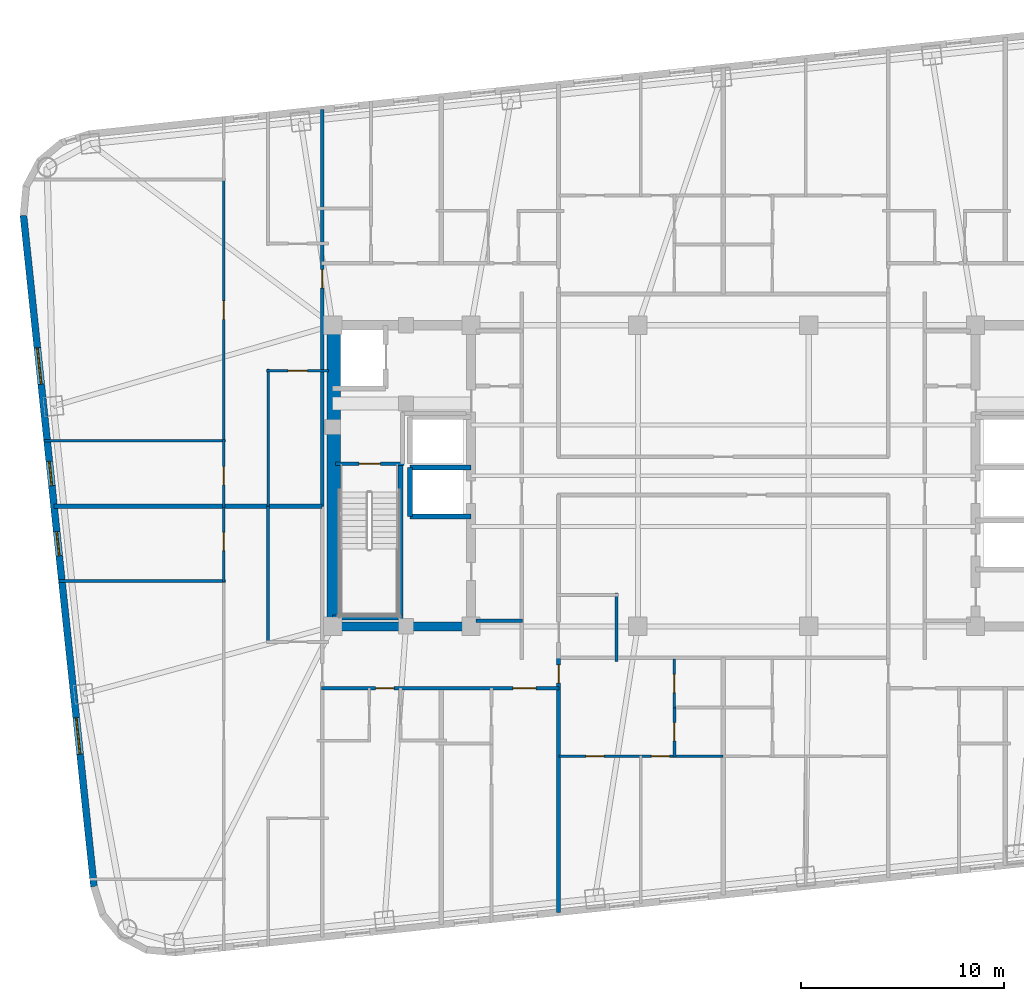
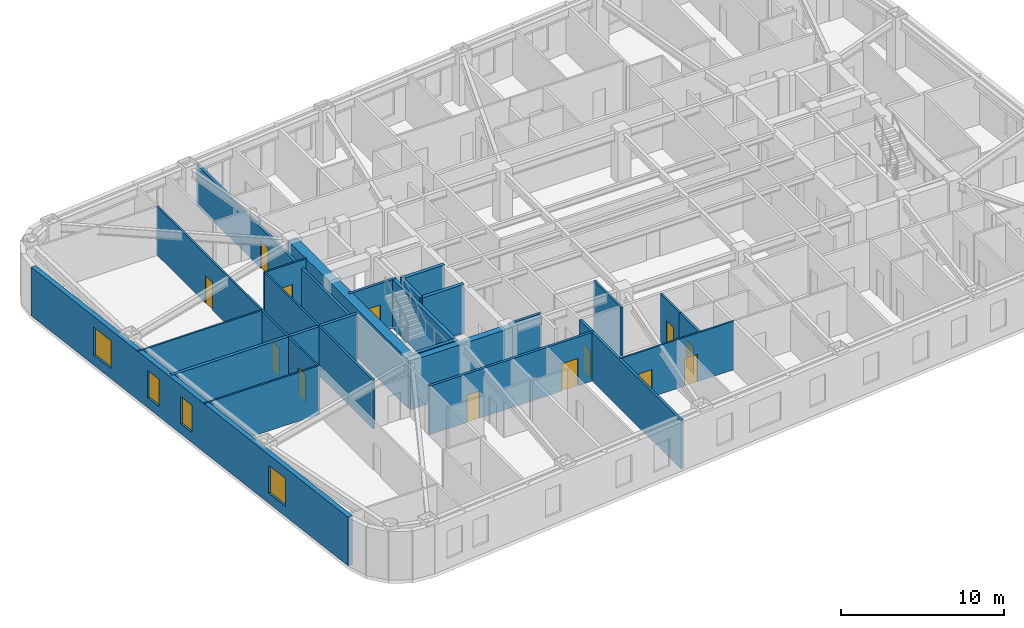
# One storey, part 3 of 11: 26 walls, 13 doors, 4 windows, 17 openings.
"""IFC4 building model written with IfcOpenShell, lengths in metres."""

from ifc_helpers import new_model, si_unit, direction, frame, frame_2d, origin, place, context, subcontext, project, spatial, rectangle, extrude, material, layer, layer_set, type_object, element, fill, save


model = new_model("IFC4")

# Units and contexts
model_context = context("Model", 3, precision=1e-05, world=origin(), true_north=direction((0.0, 1.0)))
body_context = subcontext(model_context, "Body", "Model", "MODEL_VIEW")
ifc_project = project(units=[si_unit("LENGTHUNIT", "METRE"), si_unit("AREAUNIT", "SQUARE_METRE"), si_unit("VOLUMEUNIT", "CUBIC_METRE"), si_unit("PLANEANGLEUNIT", "RADIAN"), si_unit("MASSUNIT", "GRAM", prefix="KILO")], contexts=[model_context])

# Site, building, storey
site_placement = place(None, origin())
site = spatial("IfcSite", under=ifc_project, at=site_placement, CompositionType="ELEMENT")
building_placement = place(site_placement, origin())
building = spatial("IfcBuilding", under=site, at=building_placement, Name="Voryun Gate Residences", CompositionType="ELEMENT")
storey_placement = place(building_placement, frame((0.0, 0.0, 163.800048828125)))
storey = spatial("IfcBuildingStorey", under=building, at=storey_placement, Name="L40", CompositionType="ELEMENT", Elevation=163.800048828125)

# Walls
ifc_material_1 = material(Name="Concrete C50/60", Category="concrete")
ifc_layer_1 = layer(ifc_material_1, 0.449951171875, Name="CW_CORE_450")
ifc_layer_set_1 = layer_set([ifc_layer_1], Name="Concrete C50/60")
wall_type_1 = type_object("IfcWallType", Name="CW_CORE_450", PredefinedType="SHEAR", material=ifc_layer_set_1)
wall_1_placement = place(storey_placement, frame((-19.425048828125, -7.39990234375, 0.0), z_axis=(0.0, 0.0, 1.0), x_axis=(1.0, 0.0, 0.0)))
element("IfcWall", 1, at=wall_1_placement, inside=storey, type_object=wall_type_1, Name="L40 Core shear wall CW-L40-WS", PredefinedType="SHEAR", context=body_context, shape_type="SweptSolid", body=[
    extrude(rectangle(XDim=7.25, YDim=0.449951171875, at=frame_2d((3.625, 0.0))), origin(), (0.0, 0.0, 1.0), 3.64990234375),
])
ifc_material_2 = material(Name="Concrete C60/75", Category="concrete")
ifc_layer_2 = layer(ifc_material_2, 0.64990234375, Name="CW_CORE_650")
ifc_layer_set_2 = layer_set([ifc_layer_2], Name="Concrete C60/75")
wall_type_2 = type_object("IfcWallType", Name="CW_CORE_650", PredefinedType="SHEAR", material=ifc_layer_set_2)
wall_2_placement = place(storey_placement, frame((-19.14501953125, -7.39990234375, 0.0), z_axis=(0.0, 0.0, 1.0), x_axis=(0.0, 1.0, 0.0)))
element("IfcWall", 2, at=wall_2_placement, inside=storey, type_object=wall_type_2, Name="L40 Core shear wall CW-L40-WW", PredefinedType="SHEAR", context=body_context, shape_type="SweptSolid", body=[
    extrude(rectangle(XDim=14.7998046875, YDim=0.64990234375, at=frame_2d((7.39990234375, 0.0))), origin(), (0.0, 0.0, 1.0), 3.64990234375),
])

# Wall, opening, door
ifc_material_3 = material(Name="Gypsum acoustic fireboard")
ifc_layer_3 = layer(ifc_material_3, 0.179931640625, Name="W_CORR_RATED_180")
ifc_layer_set_3 = layer_set([ifc_layer_3], Name="Gypsum acoustic fireboard")
wall_type_3 = type_object("IfcWallType", Name="W_CORR_RATED_180", PredefinedType="PARTITIONING", material=ifc_layer_set_3)
wall_3_placement = place(storey_placement, frame((-19.06005859375, 0.60009765625, 0.0), z_axis=(0.0, 0.0, 1.0), x_axis=(1.0, 0.0, 0.0)))
wall_3 = element("IfcWall", 3, at=wall_3_placement, inside=storey, type_object=wall_type_3, Name="Partition wall WP-L40-STV-W", PredefinedType="PARTITIONING", context=body_context, shape_type="SweptSolid", body=[
    extrude(rectangle(XDim=3.360107421875, YDim=0.179931640625, at=frame_2d((1.68017578125, 0.0))), origin(), (0.0, 0.0, 1.0), 3.64990234375),
])
opening_1_placement = place(wall_3_placement, frame((1.155029296875, 0.0, 0.0)))
opening_1 = element("IfcOpeningElement", 4, at=opening_1_placement, cuts=wall_3, Name="Opening D-FD60-1", PredefinedType="OPENING", context=body_context, shape_type="SweptSolid", body=[
    extrude(rectangle(XDim=1.050048828125, YDim=2.050048828125, at=frame_2d((0.52490234375, 1.02490234375))), frame((0.0, 0.099853515625, 0.0), z_axis=(0.0, -1.0, 0.0), x_axis=(1.0, 0.0, 0.0)), (0.0, 0.0, 1.0), 0.199951171875),
])
ifc_material_4 = material(Name="Painted steel fire door", Category="steel")
door_type_1 = type_object("IfcDoorType", Name="DR_FD60_STAIR_1050", OperationType="NOTDEFINED", PredefinedType="DOOR", material=ifc_material_4)
door_1_placement = place(opening_1_placement, origin())
door_1 = element("IfcDoor", 5, at=door_1_placement, inside=storey, type_object=door_type_1, Name="Door DR-L40-ST-W", OperationType="SINGLE_SWING_LEFT", OverallHeight=2.050048828125, OverallWidth=1.050048828125, PredefinedType="DOOR", context=body_context, shape_type="SweptSolid", body=[
    extrude(rectangle(XDim=1.050048828125, YDim=2.050048828125, at=frame_2d((0.52490234375, 1.02490234375))), frame((0.0, 0.02490234375, 0.0), z_axis=(0.0, -1.0, 0.0), x_axis=(1.0, 0.0, 0.0)), (0.0, 0.0, 1.0), 0.050048828125),
])
fill(opening_1, door_1)

# Wall
wall_4_placement = place(storey_placement, frame((-12.14990234375, -7.1201171875, 0.0), z_axis=(0.0, 0.0, 1.0), x_axis=(1.0, 0.0, 0.0)))
element("IfcWall", 6, at=wall_4_placement, inside=storey, type_object=wall_type_3, Name="Partition wall WP-L40-PLBS-W", PredefinedType="PARTITIONING", context=body_context, shape_type="SweptSolid", body=[
    extrude(rectangle(XDim=2.27001953125, YDim=0.179931640625, at=frame_2d((1.135009765625, 0.0))), origin(), (0.0, 0.0, 1.0), 3.64990234375),
])

# Wall, openings, doors
wall_5_placement = place(storey_placement, frame((-19.75, -10.449951171875, 0.0), z_axis=(0.0, 0.0, 1.0), x_axis=(1.0, 0.0, 0.0)))
wall_5 = element("IfcWall", 7, at=wall_5_placement, inside=storey, type_object=wall_type_3, Name="Partition wall WP-L40-SCORR-W", PredefinedType="PARTITIONING", context=body_context, shape_type="SweptSolid", body=[
    extrude(rectangle(XDim=11.669921875, YDim=0.179931640625, at=frame_2d((5.8349609375, 0.0))), origin(), (0.0, 0.0, 1.0), 3.64990234375),
])
opening_2_placement = place(wall_5_placement, frame((2.66357421875, 0.0, 0.0)))
opening_2 = element("IfcOpeningElement", 8, at=opening_2_placement, cuts=wall_5, Name="Opening D-INT-2", PredefinedType="OPENING", context=body_context, shape_type="SweptSolid", body=[
    extrude(rectangle(XDim=0.89990234375, YDim=2.050048828125, at=frame_2d((0.449951171875, 1.02490234375))), frame((0.0, 0.099853515625, 0.0), z_axis=(0.0, -1.0, 0.0), x_axis=(1.0, 0.0, 0.0)), (0.0, 0.0, 1.0), 0.199951171875),
])
opening_3_placement = place(wall_5_placement, frame((9.404052734375, 0.0, 0.0)))
opening_3 = element("IfcOpeningElement", 9, at=opening_3_placement, cuts=wall_5, Name="Opening D-UNIT-1", PredefinedType="OPENING", context=body_context, shape_type="SweptSolid", body=[
    extrude(rectangle(XDim=1.14990234375, YDim=2.050048828125, at=frame_2d((0.574951171875, 1.02490234375))), frame((0.0, 0.099853515625, 0.0), z_axis=(0.0, -1.0, 0.0), x_axis=(1.0, 0.0, 0.0)), (0.0, 0.0, 1.0), 0.199951171875),
])
ifc_material_5 = material(Name="Architectural oak veneer")
door_type_2 = type_object("IfcDoorType", Name="DR_INT_BATH_900", OperationType="NOTDEFINED", PredefinedType="DOOR", material=ifc_material_5)
door_2_placement = place(opening_2_placement, origin())
door_2 = element("IfcDoor", 10, at=door_2_placement, inside=storey, type_object=door_type_2, Name="Door DR-L40-SENT-1", OperationType="SINGLE_SWING_RIGHT", OverallHeight=2.050048828125, OverallWidth=0.89990234375, PredefinedType="DOOR", context=body_context, shape_type="SweptSolid", body=[
    extrude(rectangle(XDim=0.89990234375, YDim=2.050048828125, at=frame_2d((0.449951171875, 1.02490234375))), frame((0.0, 0.02490234375, 0.0), z_axis=(0.0, -1.0, 0.0), x_axis=(1.0, 0.0, 0.0)), (0.0, 0.0, 1.0), 0.050048828125),
])
fill(opening_2, door_2)
ifc_material_6 = material(Name="Armoured timber-clad fire door", Category="wood")
door_type_3 = type_object("IfcDoorType", Name="DR_UNIT_ENTRY_1150", OperationType="NOTDEFINED", PredefinedType="DOOR", material=ifc_material_6)
door_3_placement = place(opening_3_placement, origin())
door_3 = element("IfcDoor", 11, at=door_3_placement, inside=storey, type_object=door_type_3, Name="Door DR-L40-SENT-2", OperationType="SINGLE_SWING_LEFT", OverallHeight=2.050048828125, OverallWidth=1.14990234375, PredefinedType="DOOR", context=body_context, shape_type="SweptSolid", body=[
    extrude(rectangle(XDim=1.14990234375, YDim=2.050048828125, at=frame_2d((0.574951171875, 1.02490234375))), frame((0.0, 0.02490234375, 0.0), z_axis=(0.0, -1.0, 0.0), x_axis=(1.0, 0.0, 0.0)), (0.0, 0.0, 1.0), 0.050048828125),
])
fill(opening_3, door_3)

# Wall, opening, door
wall_6_placement = place(storey_placement, frame((-8.10009765625, -21.456298828125, 0.0), z_axis=(0.0, 0.0, 1.0), x_axis=(0.0, 1.0, 0.0)))
wall_6 = element("IfcWall", 12, at=wall_6_placement, inside=storey, type_object=wall_type_3, Name="Partition wall WP-L40-SZV-1", PredefinedType="PARTITIONING", context=body_context, shape_type="SweptSolid", body=[
    extrude(rectangle(XDim=12.516357421875, YDim=0.179931640625, at=frame_2d((6.25830078125, 0.0))), origin(), (0.0, 0.0, 1.0), 3.64990234375),
])
opening_4_placement = place(wall_6_placement, frame((11.2666015625, 0.0, 0.0)))
opening_4 = element("IfcOpeningElement", 13, at=opening_4_placement, cuts=wall_6, Name="Opening D-INT-2", PredefinedType="OPENING", context=body_context, shape_type="SweptSolid", body=[
    extrude(rectangle(XDim=0.89990234375, YDim=2.050048828125, at=frame_2d((0.449951171875, 1.02490234375))), frame((0.0, 0.099853515625, 0.0), z_axis=(0.0, -1.0, 0.0), x_axis=(1.0, 0.0, 0.0)), (0.0, 0.0, 1.0), 0.199951171875),
])
door_4_placement = place(opening_4_placement, origin())
door_4 = element("IfcDoor", 14, at=door_4_placement, inside=storey, type_object=door_type_2, Name="Door DR-L40-SZENT-1", OperationType="SINGLE_SWING_LEFT", OverallHeight=2.050048828125, OverallWidth=0.89990234375, PredefinedType="DOOR", context=body_context, shape_type="SweptSolid", body=[
    extrude(rectangle(XDim=0.89990234375, YDim=2.050048828125, at=frame_2d((0.449951171875, 1.02490234375))), frame((0.0, 0.02490234375, 0.0), z_axis=(0.0, -1.0, 0.0), x_axis=(1.0, 0.0, 0.0)), (0.0, 0.0, 1.0), 0.050048828125),
])
fill(opening_4, door_4)

wall_7_placement = place(storey_placement, frame((-19.719970703125, -1.5, 0.0), z_axis=(0.0, 0.0, 1.0), x_axis=(0.0, 1.0, 0.0)))
wall_7 = element("IfcWall", 15, at=wall_7_placement, inside=storey, type_object=wall_type_3, Name="Partition wall WP-L40-WCOR2", PredefinedType="PARTITIONING", context=body_context, shape_type="SweptSolid", body=[
    extrude(rectangle(XDim=19.505126953125, YDim=0.179931640625, at=frame_2d((9.75244140625, 0.0))), origin(), (0.0, 0.0, 1.0), 3.0400390625),
])
opening_5_placement = place(wall_7_placement, frame((10.730224609375, 0.0, 0.0)))
opening_5 = element("IfcOpeningElement", 16, at=opening_5_placement, cuts=wall_7, Name="Opening D-INT-2", PredefinedType="OPENING", context=body_context, shape_type="SweptSolid", body=[
    extrude(rectangle(XDim=0.89990234375, YDim=2.050048828125, at=frame_2d((0.449951171875, 1.02490234375))), frame((0.0, 0.099853515625, 0.0), z_axis=(0.0, -1.0, 0.0), x_axis=(1.0, 0.0, 0.0)), (0.0, 0.0, 1.0), 0.199951171875),
])
door_5_placement = place(opening_5_placement, origin())
door_5 = element("IfcDoor", 17, at=door_5_placement, inside=storey, type_object=door_type_2, Name="Door DR-L40-WE2", OperationType="SINGLE_SWING_RIGHT", OverallHeight=2.050048828125, OverallWidth=0.89990234375, PredefinedType="DOOR", context=body_context, shape_type="SweptSolid", body=[
    extrude(rectangle(XDim=0.89990234375, YDim=2.050048828125, at=frame_2d((0.449951171875, 1.02490234375))), frame((0.0, 0.02490234375, 0.0), z_axis=(0.0, -1.0, 0.0), x_axis=(1.0, 0.0, 0.0)), (0.0, 0.0, 1.0), 0.050048828125),
])
fill(opening_5, door_5)

# Wall, openings, windows
ifc_material_7 = material(Name="Charcoal terracotta masonry", Category="masonry")
ifc_layer_4 = layer(ifc_material_7, 0.340087890625, Name="W_EXT_TERRACOTTA_340")
ifc_layer_set_4 = layer_set([ifc_layer_4], Name="Charcoal terracotta masonry")
wall_type_4 = type_object("IfcWallType", Name="W_EXT_TERRACOTTA_340", PredefinedType="ELEMENTEDWALL", material=ifc_layer_set_4)
wall_8_placement = place(storey_placement, frame((-30.934326171875, -20.189697265625, 0.0), z_axis=(0.0, 0.0, 1.0), x_axis=(-0.10452691388, 0.994522058214, 0.0)))
wall_8 = element("IfcWall", 18, at=wall_8_placement, inside=storey, type_object=wall_type_4, Name="Exterior wall WEXT-L40-06", PredefinedType="ELEMENTEDWALL", context=body_context, shape_type="SweptSolid", body=[
    extrude(rectangle(XDim=33.16650390625, YDim=0.340087890625, at=frame_2d((16.583251953125, 0.0))), origin(), (0.0, 0.0, 1.0), 3.64990234375),
])
opening_6_placement = place(wall_8_placement, frame((6.54150390625, 0.0, 0.75)))
opening_6 = element("IfcOpeningElement", 19, at=opening_6_placement, cuts=wall_8, Name="Opening WN1", PredefinedType="OPENING", context=body_context, shape_type="SweptSolid", body=[
    extrude(rectangle(XDim=1.800048828125, YDim=2.10009765625, at=frame_2d((0.89990234375, 1.050048828125))), frame((0.0, 0.179931640625, 0.0), z_axis=(0.0, -1.0, 0.0), x_axis=(1.0, 0.0, 0.0)), (0.0, 0.0, 1.0), 0.360107421875),
])
opening_7_placement = place(wall_8_placement, frame((24.824951171875, 0.0, 0.75)))
opening_7 = element("IfcOpeningElement", 20, at=opening_7_placement, cuts=wall_8, Name="Opening WN1", PredefinedType="OPENING", context=body_context, shape_type="SweptSolid", body=[
    extrude(rectangle(XDim=1.800048828125, YDim=2.10009765625, at=frame_2d((0.89990234375, 1.050048828125))), frame((0.0, 0.179931640625, 0.0), z_axis=(0.0, -1.0, 0.0), x_axis=(1.0, 0.0, 0.0)), (0.0, 0.0, 1.0), 0.360107421875),
])
opening_8_placement = place(wall_8_placement, frame((16.344482421875, 0.0, 0.75)))
opening_8 = element("IfcOpeningElement", 21, at=opening_8_placement, cuts=wall_8, Name="Opening WN6", PredefinedType="OPENING", context=body_context, shape_type="SweptSolid", body=[
    extrude(rectangle(XDim=1.199951171875, YDim=2.050048828125, at=frame_2d((0.60009765625, 1.02490234375))), frame((0.0, 0.179931640625, 0.0), z_axis=(0.0, -1.0, 0.0), x_axis=(1.0, 0.0, 0.0)), (0.0, 0.0, 1.0), 0.360107421875),
])
opening_9_placement = place(wall_8_placement, frame((19.810546875, 0.0, 0.75)))
opening_9 = element("IfcOpeningElement", 22, at=opening_9_placement, cuts=wall_8, Name="Opening WN6", PredefinedType="OPENING", context=body_context, shape_type="SweptSolid", body=[
    extrude(rectangle(XDim=1.199951171875, YDim=2.050048828125, at=frame_2d((0.60009765625, 1.02490234375))), frame((0.0, 0.179931640625, 0.0), z_axis=(0.0, -1.0, 0.0), x_axis=(1.0, 0.0, 0.0)), (0.0, 0.0, 1.0), 0.360107421875),
])
ifc_material_8 = material(Name="Laminated low-E glass", Category="glass")
window_type_1 = type_object("IfcWindowType", Name="WN_POD_SLOT_1200", PartitioningType="SINGLE_PANEL", PredefinedType="WINDOW", material=ifc_material_8)
window_1_placement = place(opening_8_placement, origin())
window_1 = element("IfcWindow", 23, at=window_1_placement, inside=storey, type_object=window_type_1, Name="Window WN-L40-DWFIX-21", OverallHeight=2.050048828125, OverallWidth=1.199951171875, PartitioningType="SINGLE_PANEL", PredefinedType="WINDOW", context=body_context, shape_type="SweptSolid", body=[
    extrude(rectangle(XDim=1.199951171875, YDim=2.050048828125, at=frame_2d((0.60009765625, 1.02490234375))), frame((0.0, 0.030029296875, 0.0), z_axis=(0.0, -1.0, 0.0), x_axis=(1.0, 0.0, 0.0)), (0.0, 0.0, 1.0), 0.06005859375),
])
fill(opening_8, window_1)
window_2_placement = place(opening_9_placement, origin())
window_2 = element("IfcWindow", 24, at=window_2_placement, inside=storey, type_object=window_type_1, Name="Window WN-L40-DWFIX-25", OverallHeight=2.050048828125, OverallWidth=1.199951171875, PartitioningType="SINGLE_PANEL", PredefinedType="WINDOW", context=body_context, shape_type="SweptSolid", body=[
    extrude(rectangle(XDim=1.199951171875, YDim=2.050048828125, at=frame_2d((0.60009765625, 1.02490234375))), frame((0.0, 0.030029296875, 0.0), z_axis=(0.0, -1.0, 0.0), x_axis=(1.0, 0.0, 0.0)), (0.0, 0.0, 1.0), 0.06005859375),
])
fill(opening_9, window_2)
ifc_material_9 = material(Name="Laminated low-E glass", Category="glass")
window_type_2 = type_object("IfcWindowType", Name="WN_RES_PUNCH_1800", PartitioningType="SINGLE_PANEL", PredefinedType="WINDOW", material=ifc_material_9)
window_3_placement = place(opening_6_placement, origin())
window_3 = element("IfcWindow", 25, at=window_3_placement, inside=storey, type_object=window_type_2, Name="Window WN-WEXT-L40-06-01", OverallHeight=2.10009765625, OverallWidth=1.800048828125, PartitioningType="SINGLE_PANEL", PredefinedType="WINDOW", context=body_context, shape_type="SweptSolid", body=[
    extrude(rectangle(XDim=1.800048828125, YDim=2.10009765625, at=frame_2d((0.89990234375, 1.050048828125))), frame((0.0, 0.030029296875, 0.0), z_axis=(0.0, -1.0, 0.0), x_axis=(1.0, 0.0, 0.0)), (0.0, 0.0, 1.0), 0.06005859375),
])
fill(opening_6, window_3)
window_4_placement = place(opening_7_placement, origin())
window_4 = element("IfcWindow", 26, at=window_4_placement, inside=storey, type_object=window_type_2, Name="Window WN-WEXT-L40-06-02", OverallHeight=2.10009765625, OverallWidth=1.800048828125, PartitioningType="SINGLE_PANEL", PredefinedType="WINDOW", context=body_context, shape_type="SweptSolid", body=[
    extrude(rectangle(XDim=1.800048828125, YDim=2.10009765625, at=frame_2d((0.89990234375, 1.050048828125))), frame((0.0, 0.030029296875, 0.0), z_axis=(0.0, -1.0, 0.0), x_axis=(1.0, 0.0, 0.0)), (0.0, 0.0, 1.0), 0.06005859375),
])
fill(opening_7, window_4)

# Walls
ifc_material_10 = material(Name="Concrete C40/50", Category="concrete")
ifc_layer_5 = layer(ifc_material_10, 0.219970703125, Name="W_PARTY_ACOUSTIC_220")
ifc_layer_set_5 = layer_set([ifc_layer_5], Name="Concrete C40/50")
wall_type_5 = type_object("IfcWallType", Name="W_PARTY_ACOUSTIC_220", PredefinedType="PARTITIONING", material=ifc_layer_set_5)
wall_9_placement = place(storey_placement, frame((-19.719970703125, -1.5, 0.0), z_axis=(0.0, 0.0, 1.0), x_axis=(-1.0, 0.0, 0.0)))
element("IfcWall", 27, at=wall_9_placement, inside=storey, type_object=wall_type_5, Name="Partition wall WP-L40-WPTY", PredefinedType="PARTITIONING", context=body_context, shape_type="SweptSolid", body=[
    extrude(rectangle(XDim=13.1787109375, YDim=0.219970703125, at=frame_2d((6.58935546875, 0.0))), origin(), (0.0, 0.0, 1.0), 3.64990234375),
])
ifc_material_11 = material(Name="Concrete C50/60", Category="concrete")
ifc_layer_6 = layer(ifc_material_11, 0.25, Name="W_SHAFT_RC250")
ifc_layer_set_6 = layer_set([ifc_layer_6], Name="Concrete C50/60")
wall_type_6 = type_object("IfcWallType", Name="W_SHAFT_RC250", PredefinedType="SOLIDWALL", material=ifc_layer_set_6)
wall_10_placement = place(storey_placement, frame((-15.860107421875, -7.0849609375, 0.0), z_axis=(0.0, 0.0, 1.0), x_axis=(0.0, 1.0, 0.0)))
element("IfcWall", 28, at=wall_10_placement, inside=storey, type_object=wall_type_6, Name="L40 Stair shaft structural wall W-STR", PredefinedType="SOLIDWALL", context=body_context, shape_type="SweptSolid", body=[
    extrude(rectangle(XDim=7.68505859375, YDim=0.25, at=frame_2d((3.842529296875, 0.0))), origin(), (0.0, 0.0, 1.0), 3.64990234375),
])
wall_11_placement = place(storey_placement, frame((-19.199951171875, -6.965087890625, 0.0), z_axis=(0.0, 0.0, 1.0), x_axis=(1.0, 0.0, 0.0)))
element("IfcWall", 29, at=wall_11_placement, inside=storey, type_object=wall_type_6, Name="L40 Stair shaft structural wall W-STS", PredefinedType="SOLIDWALL", context=body_context, shape_type="SweptSolid", body=[
    extrude(rectangle(XDim=3.4599609375, YDim=0.25, at=frame_2d((1.72998046875, 0.0))), origin(), (0.0, 0.0, 1.0), 3.64990234375),
])
for number, where, z_axis, x_axis, name in (
    (30, (-15.39990234375, -2.0, 0.0), (0.0, 0.0, 1.0), (1.0, 0.0, 0.0), "Lift shaft wall WSH-L40-EL-P4-S"),
    (31, (-12.39990234375, 0.39990234375, 0.0), (0.0, 0.0, 1.0), (-1.0, 0.0, 0.0), "Lift shaft wall WSH-L40-EL-P4-N"),
):
    element("IfcWall", number, at=place(storey_placement, frame(where, z_axis=z_axis, x_axis=x_axis)), inside=storey, type_object=wall_type_6, Name=name, PredefinedType="SOLIDWALL", context=body_context, shape_type="SweptSolid", body=[
        extrude(rectangle(XDim=3.0, YDim=0.25, at=frame_2d((1.5, 0.0))), origin(), (0.0, 0.0, 1.0), 3.64990234375),
    ])
wall_12_placement = place(storey_placement, frame((-15.39990234375, 0.39990234375, 0.0), z_axis=(0.0, 0.0, 1.0), x_axis=(0.0, -1.0, 0.0)))
element("IfcWall", 32, at=wall_12_placement, inside=storey, type_object=wall_type_6, Name="Lift shaft wall WSH-L40-EL-P4-W", PredefinedType="SOLIDWALL", context=body_context, shape_type="SweptSolid", body=[
    extrude(rectangle(XDim=2.39990234375, YDim=0.25, at=frame_2d((1.199951171875, 0.0))), origin(), (0.0, 0.0, 1.0), 3.64990234375),
])

# Wall, openings, doors
ifc_material_12 = material(Name="Gypsum acoustic partition")
ifc_layer_7 = layer(ifc_material_12, 0.125, Name="W_UNIT_PART_125")
ifc_layer_set_7 = layer_set([ifc_layer_7], Name="Gypsum acoustic partition")
wall_type_7 = type_object("IfcWallType", Name="W_UNIT_PART_125", PredefinedType="PARTITIONING", material=ifc_layer_set_7)
wall_13_placement = place(storey_placement, frame((-8.080078125, -13.780029296875, 0.0), z_axis=(0.0, 0.0, 1.0), x_axis=(1.0, 0.0, 0.0)))
wall_13 = element("IfcWall", 33, at=wall_13_placement, inside=storey, type_object=wall_type_7, Name="Partition wall WP-L40-SC1-HZ", PredefinedType="PARTITIONING", context=body_context, shape_type="SweptSolid", body=[
    extrude(rectangle(XDim=8.06005859375, YDim=0.125, at=frame_2d((4.030029296875, 0.0))), origin(), (0.0, 0.0, 1.0), 3.64990234375),
])
opening_10_placement = place(wall_13_placement, frame((1.3232421875, 0.0, 0.0)))
opening_10 = element("IfcOpeningElement", 34, at=opening_10_placement, cuts=wall_13, Name="Opening D-INT-2", PredefinedType="OPENING", context=body_context, shape_type="SweptSolid", body=[
    extrude(rectangle(XDim=0.89990234375, YDim=2.050048828125, at=frame_2d((0.449951171875, 1.02490234375))), frame((0.0, 0.072509765625, 0.0), z_axis=(0.0, -1.0, 0.0), x_axis=(1.0, 0.0, 0.0)), (0.0, 0.0, 1.0), 0.14501953125),
])
opening_11_placement = place(wall_13_placement, frame((4.547119140625, 0.0, 0.0)))
opening_11 = element("IfcOpeningElement", 35, at=opening_11_placement, cuts=wall_13, Name="Opening D-INT-2", PredefinedType="OPENING", context=body_context, shape_type="SweptSolid", body=[
    extrude(rectangle(XDim=0.89990234375, YDim=2.050048828125, at=frame_2d((0.449951171875, 1.02490234375))), frame((0.0, 0.072509765625, 0.0), z_axis=(0.0, -1.0, 0.0), x_axis=(1.0, 0.0, 0.0)), (0.0, 0.0, 1.0), 0.14501953125),
])
door_6_placement = place(opening_10_placement, origin())
door_6 = element("IfcDoor", 36, at=door_6_placement, inside=storey, type_object=door_type_2, Name="Door DR-L40-SC1-DMB", OperationType="SINGLE_SWING_LEFT", OverallHeight=2.050048828125, OverallWidth=0.89990234375, PredefinedType="DOOR", context=body_context, shape_type="SweptSolid", body=[
    extrude(rectangle(XDim=0.89990234375, YDim=2.050048828125, at=frame_2d((0.449951171875, 1.02490234375))), frame((0.0, 0.02490234375, 0.0), z_axis=(0.0, -1.0, 0.0), x_axis=(1.0, 0.0, 0.0)), (0.0, 0.0, 1.0), 0.050048828125),
])
fill(opening_10, door_6)
door_7_placement = place(opening_11_placement, origin())
door_7 = element("IfcDoor", 37, at=door_7_placement, inside=storey, type_object=door_type_2, Name="Door DR-L40-SC1-DBD2", OperationType="SINGLE_SWING_RIGHT", OverallHeight=2.050048828125, OverallWidth=0.89990234375, PredefinedType="DOOR", context=body_context, shape_type="SweptSolid", body=[
    extrude(rectangle(XDim=0.89990234375, YDim=2.050048828125, at=frame_2d((0.449951171875, 1.02490234375))), frame((0.0, 0.02490234375, 0.0), z_axis=(0.0, -1.0, 0.0), x_axis=(1.0, 0.0, 0.0)), (0.0, 0.0, 1.0), 0.050048828125),
])
fill(opening_11, door_7)

# Wall, opening, door
wall_14_placement = place(storey_placement, frame((-2.409912109375, -11.409912109375, 0.0), z_axis=(0.0, 0.0, 1.0), x_axis=(0.0, 1.0, 0.0)))
wall_14 = element("IfcWall", 38, at=wall_14_placement, inside=storey, type_object=wall_type_7, Name="Partition wall WP-L40-SC1-VK1", PredefinedType="PARTITIONING", context=body_context, shape_type="SweptSolid", body=[
    extrude(rectangle(XDim=2.409912109375, YDim=0.125, at=frame_2d((1.205078125, 0.0))), origin(), (0.0, 0.0, 1.0), 3.64990234375),
])
opening_12_placement = place(wall_14_placement, frame((0.7548828125, 0.0, 0.0)))
opening_12 = element("IfcOpeningElement", 39, at=opening_12_placement, cuts=wall_14, Name="Opening D-INT-2", PredefinedType="OPENING", context=body_context, shape_type="SweptSolid", body=[
    extrude(rectangle(XDim=0.89990234375, YDim=2.050048828125, at=frame_2d((0.449951171875, 1.02490234375))), frame((0.0, 0.072509765625, 0.0), z_axis=(0.0, -1.0, 0.0), x_axis=(1.0, 0.0, 0.0)), (0.0, 0.0, 1.0), 0.14501953125),
])
door_8_placement = place(opening_12_placement, origin())
door_8 = element("IfcDoor", 40, at=door_8_placement, inside=storey, type_object=door_type_2, Name="Door DR-L40-SC1-DK", OperationType="SINGLE_SWING_LEFT", OverallHeight=2.050048828125, OverallWidth=0.89990234375, PredefinedType="DOOR", context=body_context, shape_type="SweptSolid", body=[
    extrude(rectangle(XDim=0.89990234375, YDim=2.050048828125, at=frame_2d((0.449951171875, 1.02490234375))), frame((0.0, 0.02490234375, 0.0), z_axis=(0.0, -1.0, 0.0), x_axis=(1.0, 0.0, 0.0)), (0.0, 0.0, 1.0), 0.050048828125),
])
fill(opening_12, door_8)

# Wall
wall_15_placement = place(storey_placement, frame((-32.66357421875, -5.1708984375, 0.0), z_axis=(0.0, 0.0, 1.0), x_axis=(1.0, 0.0, 0.0)))
element("IfcWall", 41, at=wall_15_placement, inside=storey, type_object=wall_type_7, Name="Partition wall WP-L40-W1-OH2", PredefinedType="PARTITIONING", context=body_context, shape_type="SweptSolid", body=[
    extrude(rectangle(XDim=8.193603515625, YDim=0.125, at=frame_2d((4.0966796875, 0.0))), origin(), (0.0, 0.0, 1.0), 3.64990234375),
])

# Wall, opening, door
wall_16_placement = place(storey_placement, frame((-24.550048828125, -5.220947265625, 0.0), z_axis=(0.0, 0.0, 1.0), x_axis=(0.0, 1.0, 0.0)))
wall_16 = element("IfcWall", 42, at=wall_16_placement, inside=storey, type_object=wall_type_7, Name="Partition wall WP-L40-W1-OVX3", PredefinedType="PARTITIONING", context=body_context, shape_type="SweptSolid", body=[
    extrude(rectangle(XDim=3.783447265625, YDim=0.125, at=frame_2d((1.8916015625, 0.0))), origin(), (0.0, 0.0, 1.0), 3.64990234375),
])
opening_13_placement = place(wall_16_placement, frame((1.54052734375, 0.0, 0.0)))
opening_13 = element("IfcOpeningElement", 43, at=opening_13_placement, cuts=wall_16, Name="Opening D-INT-2", PredefinedType="OPENING", context=body_context, shape_type="SweptSolid", body=[
    extrude(rectangle(XDim=0.89990234375, YDim=2.050048828125, at=frame_2d((0.449951171875, 1.02490234375))), frame((0.0, 0.072509765625, 0.0), z_axis=(0.0, -1.0, 0.0), x_axis=(1.0, 0.0, 0.0)), (0.0, 0.0, 1.0), 0.14501953125),
])
door_9_placement = place(opening_13_placement, origin())
door_9 = element("IfcDoor", 44, at=door_9_placement, inside=storey, type_object=door_type_2, Name="Door DR-L40-W1-DMB", OperationType="SINGLE_SWING_LEFT", OverallHeight=2.050048828125, OverallWidth=0.89990234375, PredefinedType="DOOR", context=body_context, shape_type="SweptSolid", body=[
    extrude(rectangle(XDim=0.89990234375, YDim=2.050048828125, at=frame_2d((0.449951171875, 1.02490234375))), frame((0.0, 0.02490234375, 0.0), z_axis=(0.0, -1.0, 0.0), x_axis=(1.0, 0.0, 0.0)), (0.0, 0.0, 1.0), 0.050048828125),
])
fill(opening_13, door_9)

# Wall
wall_17_placement = place(storey_placement, frame((-33.38818359375, 1.722900390625, 0.0), z_axis=(0.0, 0.0, 1.0), x_axis=(1.0, 0.0, 0.0)))
element("IfcWall", 45, at=wall_17_placement, inside=storey, type_object=wall_type_7, Name="Partition wall WP-L40-W2-OH1", PredefinedType="PARTITIONING", context=body_context, shape_type="SweptSolid", body=[
    extrude(rectangle(XDim=8.918212890625, YDim=0.125, at=frame_2d((4.458984375, 0.0))), origin(), (0.0, 0.0, 1.0), 3.64990234375),
])

# Wall, opening, door
wall_18_placement = place(storey_placement, frame((-24.550048828125, -1.5625, 0.0), z_axis=(0.0, 0.0, 1.0), x_axis=(0.0, 1.0, 0.0)))
wall_18 = element("IfcWall", 46, at=wall_18_placement, inside=storey, type_object=wall_type_7, Name="Partition wall WP-L40-W2-OVX1", PredefinedType="PARTITIONING", context=body_context, shape_type="SweptSolid", body=[
    extrude(rectangle(XDim=3.33544921875, YDim=0.125, at=frame_2d((1.667724609375, 0.0))), origin(), (0.0, 0.0, 1.0), 3.64990234375),
])
opening_14_placement = place(wall_18_placement, frame((1.118896484375, 0.0, 0.0)))
opening_14 = element("IfcOpeningElement", 47, at=opening_14_placement, cuts=wall_18, Name="Opening D-INT-2", PredefinedType="OPENING", context=body_context, shape_type="SweptSolid", body=[
    extrude(rectangle(XDim=0.89990234375, YDim=2.050048828125, at=frame_2d((0.449951171875, 1.02490234375))), frame((0.0, 0.072509765625, 0.0), z_axis=(0.0, -1.0, 0.0), x_axis=(1.0, 0.0, 0.0)), (0.0, 0.0, 1.0), 0.14501953125),
])
door_10_placement = place(opening_14_placement, origin())
door_10 = element("IfcDoor", 48, at=door_10_placement, inside=storey, type_object=door_type_2, Name="Door DR-L40-W2-DBD2", OperationType="SINGLE_SWING_LEFT", OverallHeight=2.050048828125, OverallWidth=0.89990234375, PredefinedType="DOOR", context=body_context, shape_type="SweptSolid", body=[
    extrude(rectangle(XDim=0.89990234375, YDim=2.050048828125, at=frame_2d((0.449951171875, 1.02490234375))), frame((0.0, 0.02490234375, 0.0), z_axis=(0.0, -1.0, 0.0), x_axis=(1.0, 0.0, 0.0)), (0.0, 0.0, 1.0), 0.050048828125),
])
fill(opening_14, door_10)

wall_19_placement = place(storey_placement, frame((-24.550048828125, 1.673095703125, 0.0), z_axis=(0.0, 0.0, 1.0), x_axis=(0.0, 1.0, 0.0)))
wall_19 = element("IfcWall", 49, at=wall_19_placement, inside=storey, type_object=wall_type_7, Name="Partition wall WP-L40-W2-OVX2", PredefinedType="PARTITIONING", context=body_context, shape_type="SweptSolid", body=[
    extrude(rectangle(XDim=12.94189453125, YDim=0.125, at=frame_2d((6.470947265625, 0.0))), origin(), (0.0, 0.0, 1.0), 3.64990234375),
])
opening_15_placement = place(wall_19_placement, frame((6.02099609375, 0.0, 0.0)))
opening_15 = element("IfcOpeningElement", 50, at=opening_15_placement, cuts=wall_19, Name="Opening D-INT-2", PredefinedType="OPENING", context=body_context, shape_type="SweptSolid", body=[
    extrude(rectangle(XDim=0.89990234375, YDim=2.050048828125, at=frame_2d((0.449951171875, 1.02490234375))), frame((0.0, 0.072509765625, 0.0), z_axis=(0.0, -1.0, 0.0), x_axis=(1.0, 0.0, 0.0)), (0.0, 0.0, 1.0), 0.14501953125),
])
door_11_placement = place(opening_15_placement, origin())
door_11 = element("IfcDoor", 51, at=door_11_placement, inside=storey, type_object=door_type_2, Name="Door DR-L40-W2-DSTD", OperationType="SINGLE_SWING_RIGHT", OverallHeight=2.050048828125, OverallWidth=0.89990234375, PredefinedType="DOOR", context=body_context, shape_type="SweptSolid", body=[
    extrude(rectangle(XDim=0.89990234375, YDim=2.050048828125, at=frame_2d((0.449951171875, 1.02490234375))), frame((0.0, 0.02490234375, 0.0), z_axis=(0.0, -1.0, 0.0), x_axis=(1.0, 0.0, 0.0)), (0.0, 0.0, 1.0), 0.050048828125),
])
fill(opening_15, door_11)

wall_20_placement = place(storey_placement, frame((-22.449951171875, 5.159912109375, 0.0), z_axis=(0.0, 0.0, 1.0), x_axis=(1.0, 0.0, 0.0)))
wall_20 = element("IfcWall", 52, at=wall_20_placement, inside=storey, type_object=wall_type_7, Name="Partition wall WP-L40-W2-IKA", PredefinedType="PARTITIONING", context=body_context, shape_type="SweptSolid", body=[
    extrude(rectangle(XDim=3.050048828125, YDim=0.125, at=frame_2d((1.52490234375, 0.0))), origin(), (0.0, 0.0, 1.0), 3.64990234375),
])
opening_16_placement = place(wall_20_placement, frame((1.050048828125, 0.0, 0.0)))
opening_16 = element("IfcOpeningElement", 53, at=opening_16_placement, cuts=wall_20, Name="Opening D-INT-1", PredefinedType="OPENING", context=body_context, shape_type="SweptSolid", body=[
    extrude(rectangle(XDim=0.949951171875, YDim=2.050048828125, at=frame_2d((0.47509765625, 1.02490234375))), frame((0.0, 0.072509765625, 0.0), z_axis=(0.0, -1.0, 0.0), x_axis=(1.0, 0.0, 0.0)), (0.0, 0.0, 1.0), 0.14501953125),
])
ifc_material_13 = material(Name="Architectural oak veneer")
door_type_4 = type_object("IfcDoorType", Name="DR_INT_ROOM_950", OperationType="NOTDEFINED", PredefinedType="DOOR", material=ifc_material_13)
door_12_placement = place(opening_16_placement, origin())
door_12 = element("IfcDoor", 54, at=door_12_placement, inside=storey, type_object=door_type_4, Name="Door DR-L40-W2-DK", OperationType="SINGLE_SWING_LEFT", OverallHeight=2.050048828125, OverallWidth=0.949951171875, PredefinedType="DOOR", context=body_context, shape_type="SweptSolid", body=[
    extrude(rectangle(XDim=0.949951171875, YDim=2.050048828125, at=frame_2d((0.47509765625, 1.02490234375))), frame((0.0, 0.02490234375, 0.0), z_axis=(0.0, -1.0, 0.0), x_axis=(1.0, 0.0, 0.0)), (0.0, 0.0, 1.0), 0.050048828125),
])
fill(opening_16, door_12)

# Walls
wall_21_placement = place(storey_placement, frame((-22.3701171875, -1.47998046875, 0.0), z_axis=(0.0, 0.0, 1.0), x_axis=(0.0, 1.0, 0.0)))
element("IfcWall", 55, at=wall_21_placement, inside=storey, type_object=wall_type_7, Name="Partition wall WP-L40-W2-VTA", PredefinedType="PARTITIONING", context=body_context, shape_type="SweptSolid", body=[
    extrude(rectangle(XDim=6.719970703125, YDim=0.125, at=frame_2d((3.35986328125, 0.0))), origin(), (0.0, 0.0, 1.0), 3.64990234375),
])
ifc_material_14 = material(Name="Gypsum moisture-resistant partition")
ifc_layer_8 = layer(ifc_material_14, 0.14990234375, Name="W_WET_PLUMB_150")
ifc_layer_set_8 = layer_set([ifc_layer_8], Name="Gypsum moisture-resistant partition")
wall_type_8 = type_object("IfcWallType", Name="W_WET_PLUMB_150", PredefinedType="PLUMBINGWALL", material=ifc_layer_set_8)
wall_22_placement = place(storey_placement, frame((-5.260009765625, -9.1201171875, 0.0), z_axis=(0.0, 0.0, 1.0), x_axis=(0.0, 1.0, 0.0)))
element("IfcWall", 56, at=wall_22_placement, inside=storey, type_object=wall_type_8, Name="Partition wall WP-L40-CMWCX", PredefinedType="PLUMBINGWALL", context=body_context, shape_type="SweptSolid", body=[
    extrude(rectangle(XDim=3.35009765625, YDim=0.14990234375, at=frame_2d((1.675048828125, 0.0))), origin(), (0.0, 0.0, 1.0), 3.64990234375),
])

# Wall, opening, door
wall_23_placement = place(storey_placement, frame((-2.409912109375, -13.820068359375, 0.0), z_axis=(0.0, 0.0, 1.0), x_axis=(0.0, 1.0, 0.0)))
wall_23 = element("IfcWall", 57, at=wall_23_placement, inside=storey, type_object=wall_type_8, Name="Partition wall WP-L40-SC1-VK2", PredefinedType="PLUMBINGWALL", context=body_context, shape_type="SweptSolid", body=[
    extrude(rectangle(XDim=2.469970703125, YDim=0.14990234375, at=frame_2d((1.23486328125, 0.0))), origin(), (0.0, 0.0, 1.0), 3.64990234375),
])
opening_17_placement = place(wall_23_placement, frame((0.784912109375, 0.0, 0.0)))
opening_17 = element("IfcOpeningElement", 58, at=opening_17_placement, cuts=wall_23, Name="Opening D-INT-2", PredefinedType="OPENING", context=body_context, shape_type="SweptSolid", body=[
    extrude(rectangle(XDim=0.89990234375, YDim=2.050048828125, at=frame_2d((0.449951171875, 1.02490234375))), frame((0.0, 0.0849609375, 0.0), z_axis=(0.0, -1.0, 0.0), x_axis=(1.0, 0.0, 0.0)), (0.0, 0.0, 1.0), 0.169921875),
])
door_13_placement = place(opening_17_placement, origin())
door_13 = element("IfcDoor", 59, at=door_13_placement, inside=storey, type_object=door_type_2, Name="Door DR-L40-SC1-DB", OperationType="SINGLE_SWING_RIGHT", OverallHeight=2.050048828125, OverallWidth=0.89990234375, PredefinedType="DOOR", context=body_context, shape_type="SweptSolid", body=[
    extrude(rectangle(XDim=0.89990234375, YDim=2.050048828125, at=frame_2d((0.449951171875, 1.02490234375))), frame((0.0, 0.02490234375, 0.0), z_axis=(0.0, -1.0, 0.0), x_axis=(1.0, 0.0, 0.0)), (0.0, 0.0, 1.0), 0.050048828125),
])
fill(opening_17, door_13)

# Wall
wall_24_placement = place(storey_placement, frame((-22.3701171875, -8.239990234375, 0.0), z_axis=(0.0, 0.0, 1.0), x_axis=(0.0, 1.0, 0.0)))
element("IfcWall", 60, at=wall_24_placement, inside=storey, type_object=wall_type_8, Name="Partition wall WP-L40-W1-VTB", PredefinedType="PLUMBINGWALL", context=body_context, shape_type="SweptSolid", body=[
    extrude(rectangle(XDim=6.719970703125, YDim=0.14990234375, at=frame_2d((3.35986328125, 0.0))), origin(), (0.0, 0.0, 1.0), 3.64990234375),
])

save(model, "model.ifc")
